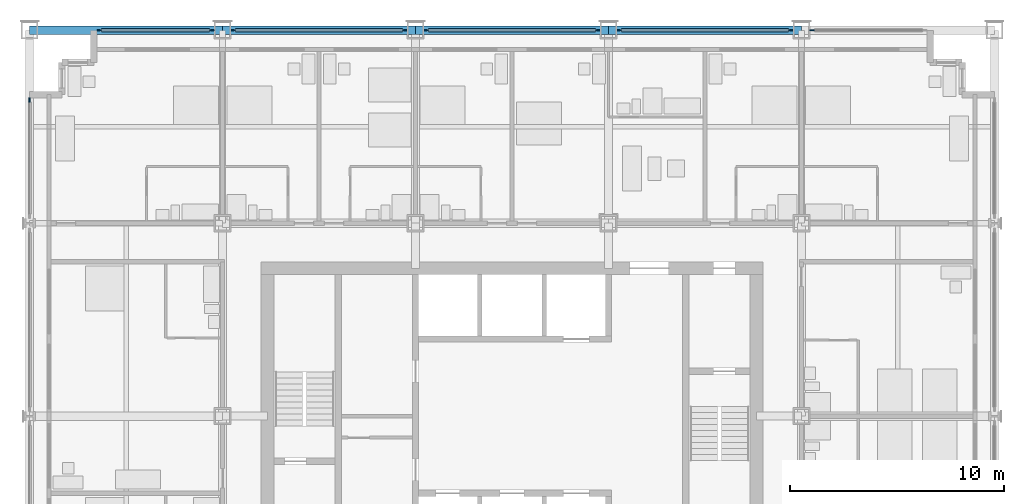
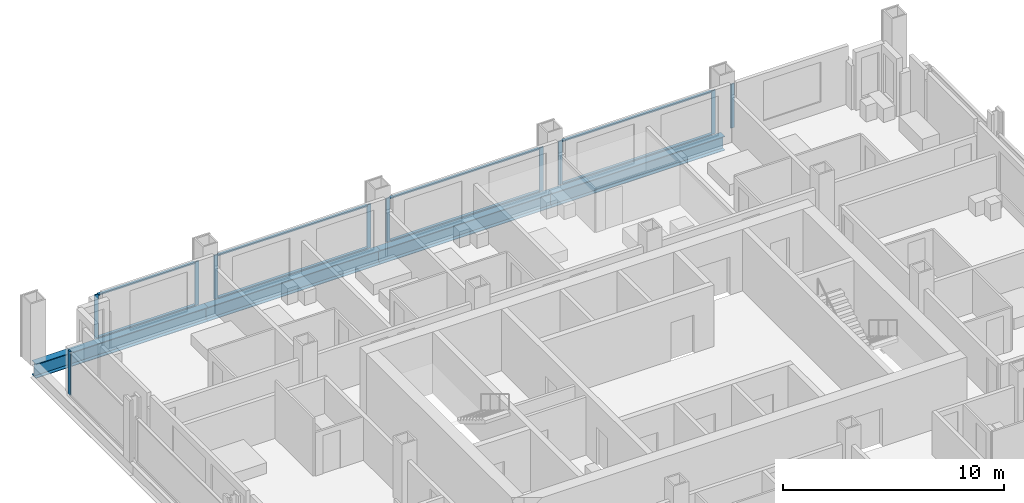
# One storey, part 6 of 16: 18 members, 4 beams, 6 elements without a shape of their own.
"""IFC4 building model written with IfcOpenShell, lengths in metres."""

import ifcopenshell
import ifcopenshell.guid

model = None  # the IFC model being written
_history = None  # IfcOwnerHistory: only IFC2X3 demands one
_inside = {}  # id of a spatial element -> (the spatial element, [elements in it])
_under = {}  # id of a project, library or spatial element -> (it, [spatial elements below it])
_declared = {}  # id of a project -> (the project, [libraries it declares])
_typed = {}  # id of a type object -> (the type object, [elements of that type])
_made_of = {}  # id of a material, layer set ... -> (it, [elements and type objects made of it])


def new_model(schema):
    """Start an empty IFC model of exactly this schema.

    Asked for "IFC4X3", IfcOpenShell would pick the latest addendum, in which some entities
    have other attributes; the version numbers below select the first issue.
    IFC2X3 requires an IfcOwnerHistory on every rooted entity: one is made here for all.
    """
    global model, _history
    if schema == "IFC4X3":
        model = ifcopenshell.file(schema_version=(4, 3, 0, 0))
    else:
        model = ifcopenshell.file(schema=schema)
    _inside.clear()
    _under.clear()
    _declared.clear()
    _typed.clear()
    _made_of.clear()
    _history = None
    if model.schema == "IFC2X3":
        org = make("IfcOrganization", Name="unknown")
        user = make(
            "IfcPersonAndOrganization",
            ThePerson=make("IfcPerson", FamilyName="unknown"),
            TheOrganization=org,
        )
        app = make(
            "IfcApplication",
            ApplicationDeveloper=org,
            Version="unknown",
            ApplicationFullName="unknown",
            ApplicationIdentifier="unknown",
        )
        _history = make(
            "IfcOwnerHistory",
            OwningUser=user,
            OwningApplication=app,
            ChangeAction="ADDED",
            CreationDate=0,
        )
    return model


def make(cls, **values):
    """One entity of the class cls with the attributes given. An attribute that is None is left unset."""
    return model.create_entity(
        cls, **{name: value for name, value in values.items() if value is not None}
    )


def rooted(cls, **values):
    """An entity with a GlobalId (a new one), such as an element, a storey or a relation."""
    return make(cls, GlobalId=ifcopenshell.guid.new(), OwnerHistory=_history, **values)


def si_unit(unit_type, name, prefix=None):
    """IfcSIUnit, for example si_unit("LENGTHUNIT", "METRE", prefix="MILLI")."""
    return make("IfcSIUnit", UnitType=unit_type, Prefix=prefix, Name=name)


def assignment(units):
    """IfcUnitAssignment: the units of a project."""
    return None if units is None else make("IfcUnitAssignment", Units=units)


def point(xyz):
    """IfcCartesianPoint."""
    return None if xyz is None else make("IfcCartesianPoint", Coordinates=xyz)


def direction(xyz):
    """IfcDirection."""
    return None if xyz is None else make("IfcDirection", DirectionRatios=xyz)


def frame(location, z_axis=None, x_axis=None):
    """IfcAxis2Placement3D, a coordinate frame: its origin and axes. An axis left out is left unset."""
    return make(
        "IfcAxis2Placement3D",
        Location=point(location),
        Axis=direction(z_axis),
        RefDirection=direction(x_axis),
    )


def frame_2d(location, x_axis=None):
    """IfcAxis2Placement2D, a coordinate frame in the plane: its origin and x axis."""
    return make(
        "IfcAxis2Placement2D", Location=point(location), RefDirection=direction(x_axis)
    )


def origin():
    """The frame at (0, 0, 0) with its axes left unset."""
    return frame((0.0, 0.0, 0.0))


def origin_2d():
    """The frame at (0, 0) in the plane with its x axis left unset."""
    return frame_2d((0.0, 0.0))


def place(relative_to, where):
    """IfcLocalPlacement: puts the frame where relative to a parent placement (None: the world)."""
    return make(
        "IfcLocalPlacement", PlacementRelTo=relative_to, RelativePlacement=where
    )


def context(
    kind, dimensions, precision=None, world=None, true_north=None, identifier=None
):
    """IfcGeometricRepresentationContext, for example the 3D "Model" context."""
    return make(
        "IfcGeometricRepresentationContext",
        ContextIdentifier=identifier,
        ContextType=kind,
        CoordinateSpaceDimension=dimensions,
        Precision=precision,
        WorldCoordinateSystem=world,
        TrueNorth=true_north,
    )


def subcontext(parent, identifier, kind, view, scale=None):
    """IfcGeometricRepresentationSubContext, for example "Body" below "Model"."""
    return make(
        "IfcGeometricRepresentationSubContext",
        ContextIdentifier=identifier,
        ContextType=kind,
        ParentContext=parent,
        TargetScale=scale,
        TargetView=view,
    )


def project(units=None, contexts=None):
    """IfcProject with its units and contexts."""
    return rooted(
        "IfcProject",
        Name="project",
        RepresentationContexts=contexts,
        UnitsInContext=assignment(units),
    )


def spatial(cls, under=None, at=None, **own):
    """A site, building, storey or space (cls), placed at a placement, below another one or the project."""
    s = rooted(cls, ObjectPlacement=at, **own)
    if under is not None:
        _under.setdefault(under.id(), (under, []))[1].append(s)
    return s


def profile(cls, at=None, kind="AREA", **sizes):
    """A parametric profile (cls). Its sizes go by their IFC names, for example OverallWidth=200.0."""
    return make(cls, ProfileType=kind, Position=at, **sizes)


def rectangle(**sizes):
    """IfcRectangleProfileDef."""
    return profile("IfcRectangleProfileDef", **sizes)


def i_section(**sizes):
    """IfcIShapeProfileDef."""
    return profile("IfcIShapeProfileDef", **sizes)


def extrude(swept, where, along, depth):
    """IfcExtrudedAreaSolid: the profile swept, set in the frame where, extruded along a direction by depth."""
    return make(
        "IfcExtrudedAreaSolid",
        SweptArea=swept,
        Position=where,
        ExtrudedDirection=direction(along),
        Depth=depth,
    )


def shape(context_of_items, identifier, shape_type, items):
    """IfcShapeRepresentation: the items that make up one representation, for example the "Body"."""
    return make(
        "IfcShapeRepresentation",
        ContextOfItems=context_of_items,
        RepresentationIdentifier=identifier,
        RepresentationType=shape_type,
        Items=items,
    )


def material(Name=None, Category=None):
    """IfcMaterial."""
    return make("IfcMaterial", Name=Name, Category=Category)


def material_profile(
    of_material, cross_section, Name=None, Category=None, Priority=None
):
    """IfcMaterialProfile: a cross section and its material."""
    return make(
        "IfcMaterialProfile",
        Name=Name,
        Material=of_material,
        Profile=cross_section,
        Priority=Priority,
        Category=Category,
    )


def profile_set(profiles, Name=None, composite=None):
    """IfcMaterialProfileSet."""
    return make(
        "IfcMaterialProfileSet",
        Name=Name,
        MaterialProfiles=profiles,
        CompositeProfile=composite,
    )


def made_of(thing, what):
    """Note that an element or type object is made of a material, layer set ...; save() writes the relation."""
    if what is not None:
        _made_of.setdefault(what.id(), (what, []))[1].append(thing)
    return thing


def type_object(cls, material=None, **own):
    """A type object (cls), such as IfcWallType, which elements share."""
    return made_of(rooted(cls, **own), material)


def element(
    cls,
    number,
    at=None,
    inside=None,
    cuts=None,
    type_object=None,
    material=None,
    context=None,
    identifier="Body",
    shape_type=None,
    held_by="IfcProductDefinitionShape",
    body=None,
    shapes=None,
    **own,
):
    """One element of the class cls, such as IfcWall. Its Tag is "e" and its number.

    at: its placement. inside: the storey or other place that contains it. cuts: it is an
    opening in that element (IfcRelVoidsElement). A single representation is given by context,
    identifier, shape_type and body (its items); several are given by shapes. held_by: the class
    of the entity that holds the representations. save() writes the other relations.
    """
    e = rooted(cls, Tag="e%d" % number, ObjectPlacement=at, **own)
    if body is not None:
        shapes = [shape(context, identifier, shape_type, body)]
    if shapes is not None:
        e.Representation = make(held_by, Representations=shapes)
    if inside is not None:
        _inside.setdefault(inside.id(), (inside, []))[1].append(e)
    if cuts is not None:
        rooted(
            "IfcRelVoidsElement", RelatingBuildingElement=cuts, RelatedOpeningElement=e
        )
    if type_object is not None:
        _typed.setdefault(type_object.id(), (type_object, []))[1].append(e)
    return made_of(e, material)


def aggregate(whole, parts):
    """IfcRelAggregates: a whole, such as a stair, and the parts it consists of."""
    return rooted("IfcRelAggregates", RelatingObject=whole, RelatedObjects=parts)


def save(model, path):
    """Write the relations noted so far, then the file.

    IfcRelAggregates (storeys below a building ...), IfcRelContainedInSpatialStructure (elements
    in a storey), IfcRelDefinesByType, IfcRelAssociatesMaterial and IfcRelDeclares: one each for
    every whole, place, type object, material and project.
    """
    for whole, parts in _under.values():
        aggregate(whole, parts)
    for where, things in _inside.values():
        rooted(
            "IfcRelContainedInSpatialStructure",
            RelatedElements=things,
            RelatingStructure=where,
        )
    for kind, things in _typed.values():
        rooted("IfcRelDefinesByType", RelatedObjects=things, RelatingType=kind)
    for what, things in _made_of.values():
        rooted("IfcRelAssociatesMaterial", RelatedObjects=things, RelatingMaterial=what)
    for by, libraries in _declared.values():
        rooted("IfcRelDeclares", RelatingContext=by, RelatedDefinitions=libraries)
    model.write(path)


model = new_model("IFC4")

# Units and contexts
model_context = context("Model", 3, precision=1e-05, world=origin(), true_north=direction((0.0, 1.0)))
body_context = subcontext(model_context, "Body", "Model", "MODEL_VIEW")
ifc_project = project(units=[si_unit("LENGTHUNIT", "METRE"), si_unit("AREAUNIT", "SQUARE_METRE"), si_unit("VOLUMEUNIT", "CUBIC_METRE"), si_unit("PLANEANGLEUNIT", "RADIAN"), si_unit("MASSUNIT", "GRAM", prefix="KILO")], contexts=[model_context])

# Site, building, storey
site_placement = place(None, origin())
site = spatial("IfcSite", under=ifc_project, at=site_placement, CompositionType="ELEMENT")
building_placement = place(site_placement, origin())
building = spatial("IfcBuilding", under=site, at=building_placement, Name="Loomwork Tower", CompositionType="ELEMENT")
storey_placement = place(building_placement, frame((0.0, 0.0, 104.39990234375)))
storey = spatial("IfcBuildingStorey", under=building, at=storey_placement, Name="L27", CompositionType="ELEMENT", Elevation=104.39990234375)

# Curtain wall, members
ifc_material_1 = material(Name="Aluminium curtain wall frame", Category="aluminium")
curtain_wall_type = type_object("IfcCurtainWallType", Name="Outer skin glazing hotel", PredefinedType="NOTDEFINED", material=ifc_material_1)
curtain_wall_1_placement = place(storey_placement, origin())
curtain_wall_1 = element("IfcCurtainWall", 1, at=curtain_wall_1_placement, inside=storey, type_object=curtain_wall_type, Name="Outer skin glazing hotel cw/N-0", PredefinedType="NOTDEFINED")
ifc_material_2 = material(Name="Aluminium curtain wall frame", Category="aluminium")
ifc_material_profile_1 = material_profile(ifc_material_2, rectangle(XDim=0.06494140625, YDim=0.199951171875, at=origin_2d()), Name="AL 65x200")
ifc_profile_set_1 = profile_set([ifc_material_profile_1], Name="Aluminium curtain wall frame")
member_type_1 = type_object("IfcMemberType", Name="Outer skin glazing hotel mullion", PredefinedType="MULLION", material=ifc_profile_set_1)
member_1_placement = place(storey_placement, frame((8.5, 36.0, 0.0), z_axis=(0.0, 0.0, 1.0), x_axis=(0.0, -1.0, 0.0)))
member_1 = element("IfcMember", 2, at=member_1_placement, type_object=member_type_1, Name="CW1 mullion 1", PredefinedType="MULLION", context=body_context, shape_type="SweptSolid", body=[
    extrude(rectangle(XDim=0.06494140625, YDim=0.199951171875, at=origin_2d()), origin(), (0.0, 0.0, 1.0), 2.42041015625),
])
member_2_placement = place(storey_placement, frame((3.25, 36.0, 0.0), z_axis=(0.0, 0.0, 1.0), x_axis=(0.0, -1.0, 0.0)))
member_2 = element("IfcMember", 3, at=member_2_placement, type_object=member_type_1, Name="CW1 mullion 2", PredefinedType="MULLION", context=body_context, shape_type="SweptSolid", body=[
    extrude(rectangle(XDim=0.06494140625, YDim=0.199951171875, at=origin_2d()), origin(), (0.0, 0.0, 1.0), 2.42041015625),
])

curtain_wall_2_placement = place(storey_placement, origin())
curtain_wall_2 = element("IfcCurtainWall", 4, at=curtain_wall_2_placement, inside=storey, type_object=curtain_wall_type, Name="Outer skin glazing hotel cw/N-9", PredefinedType="NOTDEFINED")
member_3_placement = place(storey_placement, frame((17.5, 36.0, 0.0), z_axis=(0.0, 0.0, 1.0), x_axis=(0.0, -1.0, 0.0)))
member_3 = element("IfcMember", 5, at=member_3_placement, type_object=member_type_1, Name="CW1 mullion 1", PredefinedType="MULLION", context=body_context, shape_type="SweptSolid", body=[
    extrude(rectangle(XDim=0.06494140625, YDim=0.199951171875, at=origin_2d()), origin(), (0.0, 0.0, 1.0), 2.42041015625),
])
member_4_placement = place(storey_placement, frame((9.5, 36.0, 0.0), z_axis=(0.0, 0.0, 1.0), x_axis=(0.0, -1.0, 0.0)))
member_4 = element("IfcMember", 6, at=member_4_placement, type_object=member_type_1, Name="CW1 mullion 2", PredefinedType="MULLION", context=body_context, shape_type="SweptSolid", body=[
    extrude(rectangle(XDim=0.06494140625, YDim=0.199951171875, at=origin_2d()), origin(), (0.0, 0.0, 1.0), 2.42041015625),
])

curtain_wall_3_placement = place(storey_placement, origin())
curtain_wall_3 = element("IfcCurtainWall", 7, at=curtain_wall_3_placement, inside=storey, type_object=curtain_wall_type, Name="Outer skin glazing hotel cw/N-18", PredefinedType="NOTDEFINED")
member_5_placement = place(storey_placement, frame((26.5, 36.0, 0.0), z_axis=(0.0, 0.0, 1.0), x_axis=(0.0, -1.0, 0.0)))
member_5 = element("IfcMember", 8, at=member_5_placement, type_object=member_type_1, Name="CW1 mullion 1", PredefinedType="MULLION", context=body_context, shape_type="SweptSolid", body=[
    extrude(rectangle(XDim=0.06494140625, YDim=0.199951171875, at=origin_2d()), origin(), (0.0, 0.0, 1.0), 2.42041015625),
])
member_6_placement = place(storey_placement, frame((18.5, 36.0, 0.0), z_axis=(0.0, 0.0, 1.0), x_axis=(0.0, -1.0, 0.0)))
member_6 = element("IfcMember", 9, at=member_6_placement, type_object=member_type_1, Name="CW1 mullion 2", PredefinedType="MULLION", context=body_context, shape_type="SweptSolid", body=[
    extrude(rectangle(XDim=0.06494140625, YDim=0.199951171875, at=origin_2d()), origin(), (0.0, 0.0, 1.0), 2.42041015625),
])

curtain_wall_4_placement = place(storey_placement, origin())
curtain_wall_4 = element("IfcCurtainWall", 10, at=curtain_wall_4_placement, inside=storey, type_object=curtain_wall_type, Name="Outer skin glazing hotel cw/N-27", PredefinedType="NOTDEFINED")
member_7_placement = place(storey_placement, frame((35.5, 36.0, 0.0), z_axis=(0.0, 0.0, 1.0), x_axis=(0.0, -1.0, 0.0)))
member_7 = element("IfcMember", 11, at=member_7_placement, type_object=member_type_1, Name="CW1 mullion 1", PredefinedType="MULLION", context=body_context, shape_type="SweptSolid", body=[
    extrude(rectangle(XDim=0.06494140625, YDim=0.199951171875, at=origin_2d()), origin(), (0.0, 0.0, 1.0), 2.42041015625),
])
member_8_placement = place(storey_placement, frame((27.5, 36.0, 0.0), z_axis=(0.0, 0.0, 1.0), x_axis=(0.0, -1.0, 0.0)))
member_8 = element("IfcMember", 12, at=member_8_placement, type_object=member_type_1, Name="CW1 mullion 2", PredefinedType="MULLION", context=body_context, shape_type="SweptSolid", body=[
    extrude(rectangle(XDim=0.06494140625, YDim=0.199951171875, at=origin_2d()), origin(), (0.0, 0.0, 1.0), 2.42041015625),
])

# Curtain wall, member
curtain_wall_5_placement = place(storey_placement, origin())
curtain_wall_5 = element("IfcCurtainWall", 13, at=curtain_wall_5_placement, inside=storey, type_object=curtain_wall_type, Name="Outer skin glazing hotel cw/N-36", PredefinedType="NOTDEFINED")
member_9_placement = place(storey_placement, frame((36.5, 36.0, 0.0), z_axis=(0.0, 0.0, 1.0), x_axis=(0.0, -1.0, 0.0)))
member_9 = element("IfcMember", 14, at=member_9_placement, type_object=member_type_1, Name="CW1 mullion 2", PredefinedType="MULLION", context=body_context, shape_type="SweptSolid", body=[
    extrude(rectangle(XDim=0.06494140625, YDim=0.199951171875, at=origin_2d()), origin(), (0.0, 0.0, 1.0), 2.42041015625),
])
aggregate(curtain_wall_5, [member_9])

curtain_wall_6_placement = place(storey_placement, origin())
curtain_wall_6 = element("IfcCurtainWall", 15, at=curtain_wall_6_placement, inside=storey, type_object=curtain_wall_type, Name="Outer skin glazing hotel cw/W-27", PredefinedType="NOTDEFINED")
member_10_placement = place(storey_placement, frame((0.0, 32.75, 0.0), z_axis=(0.0, 0.0, 1.0), x_axis=(1.0, 0.0, 0.0)))
member_10 = element("IfcMember", 16, at=member_10_placement, type_object=member_type_1, Name="CW1 mullion 1", PredefinedType="MULLION", context=body_context, shape_type="SweptSolid", body=[
    extrude(rectangle(XDim=0.06494140625, YDim=0.199951171875, at=origin_2d()), origin(), (0.0, 0.0, 1.0), 2.42041015625),
])
aggregate(curtain_wall_6, [member_10])

# Member
ifc_material_3 = material(Name="Aluminium curtain wall frame", Category="aluminium")
ifc_material_profile_2 = material_profile(ifc_material_3, rectangle(XDim=0.14990234375, YDim=0.06494140625, at=origin_2d()), Name="AL 65x150")
ifc_profile_set_2 = profile_set([ifc_material_profile_2], Name="Aluminium curtain wall frame")
member_type_2 = type_object("IfcMemberType", Name="Outer skin glazing hotel transom", PredefinedType="USERDEFINED", material=ifc_profile_set_2)
member_11_placement = place(storey_placement, frame((8.39990234375, 36.0, 0.03271484375), z_axis=(-1.0, 0.0, 0.0), x_axis=(0.0, -1.0, 0.0)))
member_11 = element("IfcMember", 17, at=member_11_placement, type_object=member_type_2, Name="CW1 transom 1.1", ObjectType="TRANSOM", PredefinedType="USERDEFINED", context=body_context, shape_type="SweptSolid", body=[
    extrude(rectangle(XDim=0.14990234375, YDim=0.06494140625, at=origin_2d()), origin(), (0.0, 0.0, 1.0), 5.0498046875),
])

member_12_placement = place(storey_placement, frame((8.39990234375, 36.0, 2.3876953125), z_axis=(-1.0, 0.0, 0.0), x_axis=(0.0, -1.0, 0.0)))
member_12 = element("IfcMember", 18, at=member_12_placement, type_object=member_type_2, Name="CW1 transom 1.2", ObjectType="TRANSOM", PredefinedType="USERDEFINED", context=body_context, shape_type="SweptSolid", body=[
    extrude(rectangle(XDim=0.14990234375, YDim=0.06494140625, at=origin_2d()), origin(), (0.0, 0.0, 1.0), 5.0498046875),
])

aggregate(curtain_wall_1, [member_1, member_2, member_11, member_12])

member_13_placement = place(storey_placement, frame((17.39990234375, 36.0, 0.03271484375), z_axis=(-1.0, 0.0, 0.0), x_axis=(0.0, -1.0, 0.0)))
member_13 = element("IfcMember", 19, at=member_13_placement, type_object=member_type_2, Name="CW1 transom 1.1", ObjectType="TRANSOM", PredefinedType="USERDEFINED", context=body_context, shape_type="SweptSolid", body=[
    extrude(rectangle(XDim=0.14990234375, YDim=0.06494140625, at=origin_2d()), origin(), (0.0, 0.0, 1.0), 7.7998046875),
])

member_14_placement = place(storey_placement, frame((17.39990234375, 36.0, 2.3876953125), z_axis=(-1.0, 0.0, 0.0), x_axis=(0.0, -1.0, 0.0)))
member_14 = element("IfcMember", 20, at=member_14_placement, type_object=member_type_2, Name="CW1 transom 1.2", ObjectType="TRANSOM", PredefinedType="USERDEFINED", context=body_context, shape_type="SweptSolid", body=[
    extrude(rectangle(XDim=0.14990234375, YDim=0.06494140625, at=origin_2d()), origin(), (0.0, 0.0, 1.0), 7.7998046875),
])

aggregate(curtain_wall_2, [member_3, member_4, member_13, member_14])

member_15_placement = place(storey_placement, frame((26.39990234375, 36.0, 0.03271484375), z_axis=(-1.0, 0.0, 0.0), x_axis=(0.0, -1.0, 0.0)))
member_15 = element("IfcMember", 21, at=member_15_placement, type_object=member_type_2, Name="CW1 transom 1.1", ObjectType="TRANSOM", PredefinedType="USERDEFINED", context=body_context, shape_type="SweptSolid", body=[
    extrude(rectangle(XDim=0.14990234375, YDim=0.06494140625, at=origin_2d()), origin(), (0.0, 0.0, 1.0), 7.7998046875),
])

member_16_placement = place(storey_placement, frame((26.39990234375, 36.0, 2.3876953125), z_axis=(-1.0, 0.0, 0.0), x_axis=(0.0, -1.0, 0.0)))
member_16 = element("IfcMember", 22, at=member_16_placement, type_object=member_type_2, Name="CW1 transom 1.2", ObjectType="TRANSOM", PredefinedType="USERDEFINED", context=body_context, shape_type="SweptSolid", body=[
    extrude(rectangle(XDim=0.14990234375, YDim=0.06494140625, at=origin_2d()), origin(), (0.0, 0.0, 1.0), 7.7998046875),
])

aggregate(curtain_wall_3, [member_5, member_6, member_15, member_16])

member_17_placement = place(storey_placement, frame((35.39990234375, 36.0, 0.03271484375), z_axis=(-1.0, 0.0, 0.0), x_axis=(0.0, -1.0, 0.0)))
member_17 = element("IfcMember", 23, at=member_17_placement, type_object=member_type_2, Name="CW1 transom 1.1", ObjectType="TRANSOM", PredefinedType="USERDEFINED", context=body_context, shape_type="SweptSolid", body=[
    extrude(rectangle(XDim=0.14990234375, YDim=0.06494140625, at=origin_2d()), origin(), (0.0, 0.0, 1.0), 7.7998046875),
])

member_18_placement = place(storey_placement, frame((35.39990234375, 36.0, 2.3876953125), z_axis=(-1.0, 0.0, 0.0), x_axis=(0.0, -1.0, 0.0)))
member_18 = element("IfcMember", 24, at=member_18_placement, type_object=member_type_2, Name="CW1 transom 1.2", ObjectType="TRANSOM", PredefinedType="USERDEFINED", context=body_context, shape_type="SweptSolid", body=[
    extrude(rectangle(XDim=0.14990234375, YDim=0.06494140625, at=origin_2d()), origin(), (0.0, 0.0, 1.0), 7.7998046875),
])

aggregate(curtain_wall_4, [member_7, member_8, member_17, member_18])

# Beams
ifc_material_4 = material(Name="Steel ASTM A992", Category="steel")
ifc_material_profile_3 = material_profile(ifc_material_4, i_section(OverallWidth=0.381103515625, OverallDepth=0.77978515625, WebThickness=0.01806640625, FlangeThickness=0.0302734375, at=origin_2d()), Name="W30x191")
ifc_profile_set_3 = profile_set([ifc_material_profile_3], Name="Steel ASTM A992")
beam_type = type_object("IfcBeamType", Name="SPANDREL GIRDER W30x191", PredefinedType="SPANDREL", material=ifc_profile_set_3)
for number, where, z_axis, x_axis, name in (
    (25, (0.0, 36.0, -0.58984375), (1.0, 0.0, 0.0), (0.0, 1.0, 0.0), "Spandrel Girder H/2-H/3 L27"),
    (26, (9.0, 36.0, -0.58984375), (1.0, 0.0, 0.0), (0.0, 1.0, 0.0), "Spandrel Girder H/3-H/4 L27"),
    (27, (18.0, 36.0, -0.58984375), (1.0, 0.0, 0.0), (0.0, 1.0, 0.0), "Spandrel Girder H/4-H/5 L27"),
    (28, (27.0, 36.0, -0.58984375), (1.0, 0.0, 0.0), (0.0, 1.0, 0.0), "Spandrel Girder H/5-H/6 L27"),
):
    element("IfcBeam", number, at=place(storey_placement, frame(where, z_axis=z_axis, x_axis=x_axis)), inside=storey, type_object=beam_type, Name=name, PredefinedType="SPANDREL", context=body_context, shape_type="SweptSolid", body=[
        extrude(i_section(OverallWidth=0.381103515625, OverallDepth=0.77978515625, WebThickness=0.01806640625, FlangeThickness=0.0302734375, at=origin_2d()), origin(), (0.0, 0.0, 1.0), 9.0),
    ])

save(model, "model.ifc")
